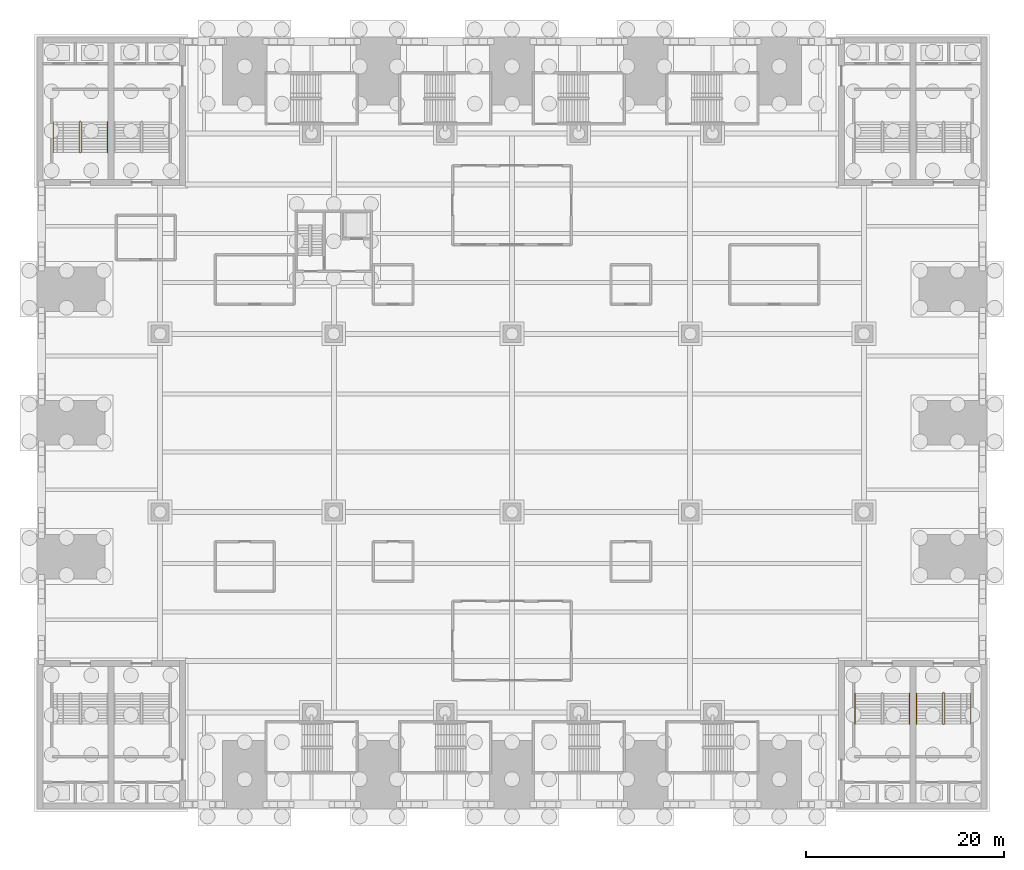
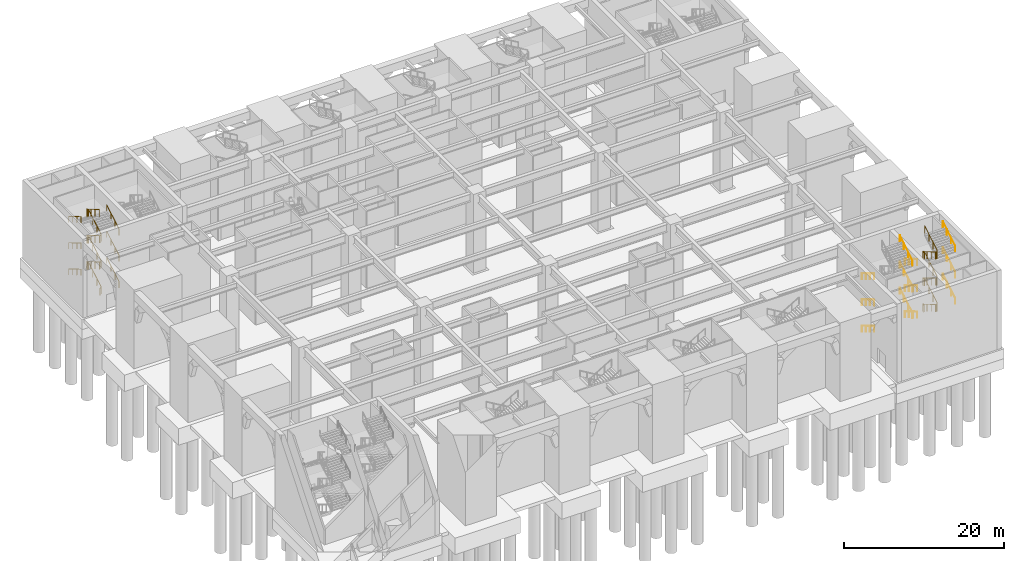
# One storey, part 30 of 34: 5 railings.
"""IFC4 building model written with IfcOpenShell, lengths in metres."""

from ifc_helpers import new_model, si_unit, direction, frame, origin, origin_2d, place, context, subcontext, project, spatial, circle, extrude, material, type_object, element, save


model = new_model("IFC4")

# Units and contexts
model_context = context("Model", 3, precision=1e-05, world=origin(), true_north=direction((0.0, 1.0)))
body_context = subcontext(model_context, "Body", "Model", "MODEL_VIEW")
ifc_project = project(units=[si_unit("LENGTHUNIT", "METRE"), si_unit("AREAUNIT", "SQUARE_METRE"), si_unit("VOLUMEUNIT", "CUBIC_METRE"), si_unit("PLANEANGLEUNIT", "RADIAN"), si_unit("MASSUNIT", "GRAM", prefix="KILO")], contexts=[model_context])

# Site, building, storey
site_placement = place(None, origin())
site = spatial("IfcSite", under=ifc_project, at=site_placement, CompositionType="ELEMENT")
building_placement = place(site_placement, origin())
building = spatial("IfcBuilding", under=site, at=building_placement, Name="Corbelhall Arena Tower", CompositionType="ELEMENT")
storey_placement = place(building_placement, origin())
storey = spatial("IfcBuildingStorey", under=building, at=storey_placement, Name="L00", CompositionType="ELEMENT", Elevation=0.0)

# Railings
ifc_material = material(Name="Stainless steel A4", Category="steel")
railing_type_1 = type_object("IfcRailingType", Name="AR-STAIR-GUARD", PredefinedType="GUARDRAIL", material=ifc_material)
railing_1_placement = place(storey_placement, frame((-43.469970703125, 27.320068359375, 0.166748046875)))
element("IfcRailing", 1, at=railing_1_placement, inside=storey, type_object=railing_type_1, Name="L00 AS4 stair guards", PredefinedType="GUARDRAIL", context=body_context, shape_type="SweptSolid", body=[
    extrude(circle(Radius=0.02392578125, at=origin_2d()), frame((0.0, 0.0, 1.076171875), z_axis=(0.0, 0.859290745958, 0.51148745235), x_axis=(-1.0, 0.0, 0.0)), (0.0, 0.0, 1.0), 3.584228515625),
    extrude(circle(Radius=0.02392578125, at=origin_2d()), frame((-0.050048828125, 3.1298828125, 2.9091796875), z_axis=(-1.0, 0.0, 0.0), x_axis=(0.0, -1.0, 0.0)), (0.0, 0.0, 1.0), 0.14990234375),
    extrude(circle(Radius=0.02392578125, at=origin_2d()), frame((-0.25, 3.079833984375, 3.076171875), z_axis=(0.0, -0.859290745958, 0.51148745235), x_axis=(1.0, 0.0, 0.0)), (0.0, 0.0, 1.0), 3.584228515625),
    extrude(circle(Radius=0.02392578125, at=origin_2d()), frame((-0.050048828125, -0.050048828125, 4.9091796875), z_axis=(-1.0, 0.0, 0.0), x_axis=(0.0, -1.0, 0.0)), (0.0, 0.0, 1.0), 0.14990234375),
    extrude(circle(Radius=0.02392578125, at=origin_2d()), frame((0.0, 0.0, 5.076171875), z_axis=(0.0, 0.859290745958, 0.51148745235), x_axis=(-1.0, 0.0, 0.0)), (0.0, 0.0, 1.0), 3.584228515625),
    extrude(circle(Radius=0.02392578125, at=origin_2d()), frame((-0.050048828125, 3.1298828125, 6.9091796875), z_axis=(-1.0, 0.0, 0.0), x_axis=(0.0, -1.0, 0.0)), (0.0, 0.0, 1.0), 0.14990234375),
    extrude(circle(Radius=0.02392578125, at=origin_2d()), frame((-0.25, 3.079833984375, 7.076171875), z_axis=(0.0, -0.859290745958, 0.51148745235), x_axis=(1.0, 0.0, 0.0)), (0.0, 0.0, 1.0), 3.584228515625),
    extrude(circle(Radius=0.02392578125, at=origin_2d()), frame((-0.050048828125, -0.050048828125, 8.9091796875), z_axis=(-1.0, 0.0, 0.0), x_axis=(0.0, -1.0, 0.0)), (0.0, 0.0, 1.0), 0.14990234375),
    extrude(circle(Radius=0.02392578125, at=origin_2d()), frame((0.0, 0.0, 9.076171875), z_axis=(0.0, 0.859290745958, 0.51148745235), x_axis=(-1.0, 0.0, 0.0)), (0.0, 0.0, 1.0), 3.584228515625),
    extrude(circle(Radius=0.02392578125, at=origin_2d()), frame((-0.050048828125, 3.1298828125, 10.9091796875), z_axis=(-1.0, 0.0, 0.0), x_axis=(0.0, -1.0, 0.0)), (0.0, 0.0, 1.0), 0.14990234375),
    extrude(circle(Radius=0.02392578125, at=origin_2d()), frame((-0.25, 3.079833984375, 11.076171875), z_axis=(0.0, -0.859290745958, 0.51148745235), x_axis=(1.0, 0.0, 0.0)), (0.0, 0.0, 1.0), 3.584228515625),
    extrude(circle(Radius=0.02392578125, at=origin_2d()), frame((-0.050048828125, -0.050048828125, 0.9091796875), z_axis=(-1.0, 0.0, 0.0), x_axis=(0.0, -1.0, 0.0)), (0.0, 0.0, 1.0), 0.14990234375),
    extrude(circle(Radius=0.02099609375, at=origin_2d()), origin(), (0.0, 0.0, 1.0), 1.052001953125),
    extrude(circle(Radius=0.02099609375, at=origin_2d()), frame((0.0, 1.026611328125, 0.611083984375)), (0.0, 0.0, 1.0), 1.052001953125),
    extrude(circle(Radius=0.02099609375, at=origin_2d()), frame((0.0, 2.05322265625, 1.22216796875)), (0.0, 0.0, 1.0), 1.052001953125),
    extrude(circle(Radius=0.02099609375, at=origin_2d()), frame((0.0, 3.079833984375, 1.833251953125)), (0.0, 0.0, 1.0), 1.052001953125),
    extrude(circle(Radius=0.02099609375, at=origin_2d()), frame((-0.050048828125, 3.1298828125, 1.833251953125)), (0.0, 0.0, 1.0), 1.052001953125),
    extrude(circle(Radius=0.02099609375, at=origin_2d()), frame((-0.199951171875, 3.1298828125, 1.833251953125)), (0.0, 0.0, 1.0), 1.052001953125),
    extrude(circle(Radius=0.02099609375, at=origin_2d()), frame((-0.25, 3.079833984375, 2.0)), (0.0, 0.0, 1.0), 1.052001953125),
    extrude(circle(Radius=0.02099609375, at=origin_2d()), frame((-0.25, 2.05322265625, 2.611083984375)), (0.0, 0.0, 1.0), 1.052001953125),
    extrude(circle(Radius=0.02099609375, at=origin_2d()), frame((-0.25, 1.026611328125, 3.22216796875)), (0.0, 0.0, 1.0), 1.052001953125),
    extrude(circle(Radius=0.02099609375, at=origin_2d()), frame((-0.25, 0.0, 3.833251953125)), (0.0, 0.0, 1.0), 1.052001953125),
    extrude(circle(Radius=0.02099609375, at=origin_2d()), frame((-0.050048828125, -0.050048828125, 3.833251953125)), (0.0, 0.0, 1.0), 1.052001953125),
    extrude(circle(Radius=0.02099609375, at=origin_2d()), frame((-0.199951171875, -0.050048828125, 3.833251953125)), (0.0, 0.0, 1.0), 1.052001953125),
    extrude(circle(Radius=0.02099609375, at=origin_2d()), frame((0.0, 0.0, 4.0)), (0.0, 0.0, 1.0), 1.052001953125),
    extrude(circle(Radius=0.02099609375, at=origin_2d()), frame((0.0, 1.026611328125, 4.611083984375)), (0.0, 0.0, 1.0), 1.052001953125),
    extrude(circle(Radius=0.02099609375, at=origin_2d()), frame((0.0, 2.05322265625, 5.22216796875)), (0.0, 0.0, 1.0), 1.052001953125),
    extrude(circle(Radius=0.02099609375, at=origin_2d()), frame((0.0, 3.079833984375, 5.833251953125)), (0.0, 0.0, 1.0), 1.052001953125),
    extrude(circle(Radius=0.02099609375, at=origin_2d()), frame((-0.050048828125, 3.1298828125, 5.833251953125)), (0.0, 0.0, 1.0), 1.052001953125),
    extrude(circle(Radius=0.02099609375, at=origin_2d()), frame((-0.199951171875, 3.1298828125, 5.833251953125)), (0.0, 0.0, 1.0), 1.052001953125),
    extrude(circle(Radius=0.02099609375, at=origin_2d()), frame((-0.25, 3.079833984375, 6.0)), (0.0, 0.0, 1.0), 1.052001953125),
    extrude(circle(Radius=0.02099609375, at=origin_2d()), frame((-0.25, 2.05322265625, 6.611083984375)), (0.0, 0.0, 1.0), 1.052001953125),
    extrude(circle(Radius=0.02099609375, at=origin_2d()), frame((-0.25, 1.026611328125, 7.22216796875)), (0.0, 0.0, 1.0), 1.052001953125),
    extrude(circle(Radius=0.02099609375, at=origin_2d()), frame((-0.25, 0.0, 7.833251953125)), (0.0, 0.0, 1.0), 1.052001953125),
    extrude(circle(Radius=0.02099609375, at=origin_2d()), frame((-0.050048828125, -0.050048828125, 7.833251953125)), (0.0, 0.0, 1.0), 1.052001953125),
    extrude(circle(Radius=0.02099609375, at=origin_2d()), frame((-0.199951171875, -0.050048828125, 7.833251953125)), (0.0, 0.0, 1.0), 1.052001953125),
    extrude(circle(Radius=0.02099609375, at=origin_2d()), frame((0.0, 0.0, 8.0)), (0.0, 0.0, 1.0), 1.052001953125),
    extrude(circle(Radius=0.02099609375, at=origin_2d()), frame((0.0, 1.026611328125, 8.611083984375)), (0.0, 0.0, 1.0), 1.052001953125),
    extrude(circle(Radius=0.02099609375, at=origin_2d()), frame((0.0, 2.05322265625, 9.22216796875)), (0.0, 0.0, 1.0), 1.052001953125),
    extrude(circle(Radius=0.02099609375, at=origin_2d()), frame((0.0, 3.079833984375, 9.833251953125)), (0.0, 0.0, 1.0), 1.052001953125),
    extrude(circle(Radius=0.02099609375, at=origin_2d()), frame((-0.050048828125, 3.1298828125, 9.833251953125)), (0.0, 0.0, 1.0), 1.052001953125),
    extrude(circle(Radius=0.02099609375, at=origin_2d()), frame((-0.199951171875, 3.1298828125, 9.833251953125)), (0.0, 0.0, 1.0), 1.052001953125),
    extrude(circle(Radius=0.02099609375, at=origin_2d()), frame((-0.25, 3.079833984375, 10.0)), (0.0, 0.0, 1.0), 1.052001953125),
    extrude(circle(Radius=0.02099609375, at=origin_2d()), frame((-0.25, 2.05322265625, 10.611083984375)), (0.0, 0.0, 1.0), 1.052001953125),
    extrude(circle(Radius=0.02099609375, at=origin_2d()), frame((-0.25, 1.026611328125, 11.22216796875)), (0.0, 0.0, 1.0), 1.052001953125),
    extrude(circle(Radius=0.02099609375, at=origin_2d()), frame((-0.25, 0.0, 11.833251953125)), (0.0, 0.0, 1.0), 1.052001953125),
    extrude(circle(Radius=0.02099609375, at=origin_2d()), frame((-0.050048828125, -0.050048828125, -0.166748046875)), (0.0, 0.0, 1.0), 1.052001953125),
    extrude(circle(Radius=0.02099609375, at=origin_2d()), frame((-0.199951171875, -0.050048828125, -0.166748046875)), (0.0, 0.0, 1.0), 1.052001953125),
])
railing_2_placement = place(storey_placement, frame((43.469970703125, -27.320068359375, 0.166748046875)))
element("IfcRailing", 2, at=railing_2_placement, inside=storey, type_object=railing_type_1, Name="L00 AS6 stair guards", PredefinedType="GUARDRAIL", context=body_context, shape_type="SweptSolid", body=[
    extrude(circle(Radius=0.02392578125, at=origin_2d()), frame((0.0, 0.0, 1.076171875), z_axis=(0.0, -0.859290745958, 0.51148745235), x_axis=(1.0, 0.0, 0.0)), (0.0, 0.0, 1.0), 3.584228515625),
    extrude(circle(Radius=0.02392578125, at=origin_2d()), frame((0.050048828125, -3.1298828125, 2.9091796875), z_axis=(1.0, 0.0, 0.0), x_axis=(0.0, 1.0, 0.0)), (0.0, 0.0, 1.0), 0.14990234375),
    extrude(circle(Radius=0.02392578125, at=origin_2d()), frame((0.25, -3.079833984375, 3.076171875), z_axis=(0.0, 0.859290745958, 0.51148745235), x_axis=(-1.0, 0.0, 0.0)), (0.0, 0.0, 1.0), 3.584228515625),
    extrude(circle(Radius=0.02392578125, at=origin_2d()), frame((0.050048828125, 0.050048828125, 4.9091796875), z_axis=(1.0, 0.0, 0.0), x_axis=(0.0, 1.0, 0.0)), (0.0, 0.0, 1.0), 0.14990234375),
    extrude(circle(Radius=0.02392578125, at=origin_2d()), frame((0.0, 0.0, 5.076171875), z_axis=(0.0, -0.859290745958, 0.51148745235), x_axis=(1.0, 0.0, 0.0)), (0.0, 0.0, 1.0), 3.584228515625),
    extrude(circle(Radius=0.02392578125, at=origin_2d()), frame((0.050048828125, -3.1298828125, 6.9091796875), z_axis=(1.0, 0.0, 0.0), x_axis=(0.0, 1.0, 0.0)), (0.0, 0.0, 1.0), 0.14990234375),
    extrude(circle(Radius=0.02392578125, at=origin_2d()), frame((0.25, -3.079833984375, 7.076171875), z_axis=(0.0, 0.859290745958, 0.51148745235), x_axis=(-1.0, 0.0, 0.0)), (0.0, 0.0, 1.0), 3.584228515625),
    extrude(circle(Radius=0.02392578125, at=origin_2d()), frame((0.050048828125, 0.050048828125, 8.9091796875), z_axis=(1.0, 0.0, 0.0), x_axis=(0.0, 1.0, 0.0)), (0.0, 0.0, 1.0), 0.14990234375),
    extrude(circle(Radius=0.02392578125, at=origin_2d()), frame((0.0, 0.0, 9.076171875), z_axis=(0.0, -0.859290745958, 0.51148745235), x_axis=(1.0, 0.0, 0.0)), (0.0, 0.0, 1.0), 3.584228515625),
    extrude(circle(Radius=0.02392578125, at=origin_2d()), frame((0.050048828125, -3.1298828125, 10.9091796875), z_axis=(1.0, 0.0, 0.0), x_axis=(0.0, 1.0, 0.0)), (0.0, 0.0, 1.0), 0.14990234375),
    extrude(circle(Radius=0.02392578125, at=origin_2d()), frame((0.25, -3.079833984375, 11.076171875), z_axis=(0.0, 0.859290745958, 0.51148745235), x_axis=(-1.0, 0.0, 0.0)), (0.0, 0.0, 1.0), 3.584228515625),
    extrude(circle(Radius=0.02392578125, at=origin_2d()), frame((0.050048828125, 0.050048828125, 0.9091796875), z_axis=(1.0, 0.0, 0.0), x_axis=(0.0, 1.0, 0.0)), (0.0, 0.0, 1.0), 0.14990234375),
    extrude(circle(Radius=0.02099609375, at=origin_2d()), origin(), (0.0, 0.0, 1.0), 1.052001953125),
    extrude(circle(Radius=0.02099609375, at=origin_2d()), frame((0.0, -1.026611328125, 0.611083984375)), (0.0, 0.0, 1.0), 1.052001953125),
    extrude(circle(Radius=0.02099609375, at=origin_2d()), frame((0.0, -2.05322265625, 1.22216796875)), (0.0, 0.0, 1.0), 1.052001953125),
    extrude(circle(Radius=0.02099609375, at=origin_2d()), frame((0.0, -3.079833984375, 1.833251953125)), (0.0, 0.0, 1.0), 1.052001953125),
    extrude(circle(Radius=0.02099609375, at=origin_2d()), frame((0.050048828125, -3.1298828125, 1.833251953125)), (0.0, 0.0, 1.0), 1.052001953125),
    extrude(circle(Radius=0.02099609375, at=origin_2d()), frame((0.199951171875, -3.1298828125, 1.833251953125)), (0.0, 0.0, 1.0), 1.052001953125),
    extrude(circle(Radius=0.02099609375, at=origin_2d()), frame((0.25, -3.079833984375, 2.0)), (0.0, 0.0, 1.0), 1.052001953125),
    extrude(circle(Radius=0.02099609375, at=origin_2d()), frame((0.25, -2.05322265625, 2.611083984375)), (0.0, 0.0, 1.0), 1.052001953125),
    extrude(circle(Radius=0.02099609375, at=origin_2d()), frame((0.25, -1.026611328125, 3.22216796875)), (0.0, 0.0, 1.0), 1.052001953125),
    extrude(circle(Radius=0.02099609375, at=origin_2d()), frame((0.25, 0.0, 3.833251953125)), (0.0, 0.0, 1.0), 1.052001953125),
    extrude(circle(Radius=0.02099609375, at=origin_2d()), frame((0.050048828125, 0.050048828125, 3.833251953125)), (0.0, 0.0, 1.0), 1.052001953125),
    extrude(circle(Radius=0.02099609375, at=origin_2d()), frame((0.199951171875, 0.050048828125, 3.833251953125)), (0.0, 0.0, 1.0), 1.052001953125),
    extrude(circle(Radius=0.02099609375, at=origin_2d()), frame((0.0, 0.0, 4.0)), (0.0, 0.0, 1.0), 1.052001953125),
    extrude(circle(Radius=0.02099609375, at=origin_2d()), frame((0.0, -1.026611328125, 4.611083984375)), (0.0, 0.0, 1.0), 1.052001953125),
    extrude(circle(Radius=0.02099609375, at=origin_2d()), frame((0.0, -2.05322265625, 5.22216796875)), (0.0, 0.0, 1.0), 1.052001953125),
    extrude(circle(Radius=0.02099609375, at=origin_2d()), frame((0.0, -3.079833984375, 5.833251953125)), (0.0, 0.0, 1.0), 1.052001953125),
    extrude(circle(Radius=0.02099609375, at=origin_2d()), frame((0.050048828125, -3.1298828125, 5.833251953125)), (0.0, 0.0, 1.0), 1.052001953125),
    extrude(circle(Radius=0.02099609375, at=origin_2d()), frame((0.199951171875, -3.1298828125, 5.833251953125)), (0.0, 0.0, 1.0), 1.052001953125),
    extrude(circle(Radius=0.02099609375, at=origin_2d()), frame((0.25, -3.079833984375, 6.0)), (0.0, 0.0, 1.0), 1.052001953125),
    extrude(circle(Radius=0.02099609375, at=origin_2d()), frame((0.25, -2.05322265625, 6.611083984375)), (0.0, 0.0, 1.0), 1.052001953125),
    extrude(circle(Radius=0.02099609375, at=origin_2d()), frame((0.25, -1.026611328125, 7.22216796875)), (0.0, 0.0, 1.0), 1.052001953125),
    extrude(circle(Radius=0.02099609375, at=origin_2d()), frame((0.25, 0.0, 7.833251953125)), (0.0, 0.0, 1.0), 1.052001953125),
    extrude(circle(Radius=0.02099609375, at=origin_2d()), frame((0.050048828125, 0.050048828125, 7.833251953125)), (0.0, 0.0, 1.0), 1.052001953125),
    extrude(circle(Radius=0.02099609375, at=origin_2d()), frame((0.199951171875, 0.050048828125, 7.833251953125)), (0.0, 0.0, 1.0), 1.052001953125),
    extrude(circle(Radius=0.02099609375, at=origin_2d()), frame((0.0, 0.0, 8.0)), (0.0, 0.0, 1.0), 1.052001953125),
    extrude(circle(Radius=0.02099609375, at=origin_2d()), frame((0.0, -1.026611328125, 8.611083984375)), (0.0, 0.0, 1.0), 1.052001953125),
    extrude(circle(Radius=0.02099609375, at=origin_2d()), frame((0.0, -2.05322265625, 9.22216796875)), (0.0, 0.0, 1.0), 1.052001953125),
    extrude(circle(Radius=0.02099609375, at=origin_2d()), frame((0.0, -3.079833984375, 9.833251953125)), (0.0, 0.0, 1.0), 1.052001953125),
    extrude(circle(Radius=0.02099609375, at=origin_2d()), frame((0.050048828125, -3.1298828125, 9.833251953125)), (0.0, 0.0, 1.0), 1.052001953125),
    extrude(circle(Radius=0.02099609375, at=origin_2d()), frame((0.199951171875, -3.1298828125, 9.833251953125)), (0.0, 0.0, 1.0), 1.052001953125),
    extrude(circle(Radius=0.02099609375, at=origin_2d()), frame((0.25, -3.079833984375, 10.0)), (0.0, 0.0, 1.0), 1.052001953125),
    extrude(circle(Radius=0.02099609375, at=origin_2d()), frame((0.25, -2.05322265625, 10.611083984375)), (0.0, 0.0, 1.0), 1.052001953125),
    extrude(circle(Radius=0.02099609375, at=origin_2d()), frame((0.25, -1.026611328125, 11.22216796875)), (0.0, 0.0, 1.0), 1.052001953125),
    extrude(circle(Radius=0.02099609375, at=origin_2d()), frame((0.25, 0.0, 11.833251953125)), (0.0, 0.0, 1.0), 1.052001953125),
    extrude(circle(Radius=0.02099609375, at=origin_2d()), frame((0.050048828125, 0.050048828125, -0.166748046875)), (0.0, 0.0, 1.0), 1.052001953125),
    extrude(circle(Radius=0.02099609375, at=origin_2d()), frame((0.199951171875, 0.050048828125, -0.166748046875)), (0.0, 0.0, 1.0), 1.052001953125),
])
railing_type_2 = type_object("IfcRailingType", Name="AR-STAIR-HANDRAIL", PredefinedType="HANDRAIL", material=ifc_material)
railing_3_placement = place(storey_placement, frame((-40.85009765625, 27.320068359375, 0.166748046875)))
element("IfcRailing", 3, at=railing_3_placement, inside=storey, type_object=railing_type_2, Name="L00 AS4 stair handrails", PredefinedType="HANDRAIL", context=body_context, shape_type="SweptSolid", body=[
    extrude(circle(Radius=0.02392578125, at=origin_2d()), frame((0.0, 0.0, 0.8759765625), z_axis=(0.0, 0.859290745958, 0.51148745235), x_axis=(-1.0, 0.0, 0.0)), (0.0, 0.0, 1.0), 3.584228515625),
    extrude(circle(Radius=0.02392578125, at=origin_2d()), frame((-5.489990234375, 3.079833984375, 2.8759765625), z_axis=(0.0, -0.859290745958, 0.51148745235), x_axis=(1.0, 0.0, 0.0)), (0.0, 0.0, 1.0), 3.584228515625),
    extrude(circle(Radius=0.02392578125, at=origin_2d()), frame((0.0, 0.0, 4.8759765625), z_axis=(0.0, 0.859290745958, 0.51148745235), x_axis=(-1.0, 0.0, 0.0)), (0.0, 0.0, 1.0), 3.584228515625),
    extrude(circle(Radius=0.02392578125, at=origin_2d()), frame((-5.489990234375, 3.079833984375, 6.8759765625), z_axis=(0.0, -0.859290745958, 0.51148745235), x_axis=(1.0, 0.0, 0.0)), (0.0, 0.0, 1.0), 3.584228515625),
    extrude(circle(Radius=0.02392578125, at=origin_2d()), frame((0.0, 0.0, 8.8759765625), z_axis=(0.0, 0.859290745958, 0.51148745235), x_axis=(-1.0, 0.0, 0.0)), (0.0, 0.0, 1.0), 3.584228515625),
    extrude(circle(Radius=0.02392578125, at=origin_2d()), frame((-5.489990234375, 3.079833984375, 10.8759765625), z_axis=(0.0, -0.859290745958, 0.51148745235), x_axis=(1.0, 0.0, 0.0)), (0.0, 0.0, 1.0), 3.584228515625),
    extrude(circle(Radius=0.02099609375, at=origin_2d()), origin(), (0.0, 0.0, 1.0), 0.851806640625),
    extrude(circle(Radius=0.02099609375, at=origin_2d()), frame((0.0, 1.026611328125, 0.611083984375)), (0.0, 0.0, 1.0), 0.851806640625),
    extrude(circle(Radius=0.02099609375, at=origin_2d()), frame((0.0, 2.05322265625, 1.22216796875)), (0.0, 0.0, 1.0), 0.851806640625),
    extrude(circle(Radius=0.02099609375, at=origin_2d()), frame((0.0, 3.079833984375, 1.833251953125)), (0.0, 0.0, 1.0), 0.851806640625),
    extrude(circle(Radius=0.02099609375, at=origin_2d()), frame((-5.489990234375, 3.079833984375, 2.0)), (0.0, 0.0, 1.0), 0.851806640625),
    extrude(circle(Radius=0.02099609375, at=origin_2d()), frame((-5.489990234375, 2.05322265625, 2.611083984375)), (0.0, 0.0, 1.0), 0.851806640625),
    extrude(circle(Radius=0.02099609375, at=origin_2d()), frame((-5.489990234375, 1.026611328125, 3.22216796875)), (0.0, 0.0, 1.0), 0.851806640625),
    extrude(circle(Radius=0.02099609375, at=origin_2d()), frame((-5.489990234375, 0.0, 3.833251953125)), (0.0, 0.0, 1.0), 0.851806640625),
    extrude(circle(Radius=0.02099609375, at=origin_2d()), frame((0.0, 0.0, 4.0)), (0.0, 0.0, 1.0), 0.851806640625),
    extrude(circle(Radius=0.02099609375, at=origin_2d()), frame((0.0, 1.026611328125, 4.611083984375)), (0.0, 0.0, 1.0), 0.851806640625),
    extrude(circle(Radius=0.02099609375, at=origin_2d()), frame((0.0, 2.05322265625, 5.22216796875)), (0.0, 0.0, 1.0), 0.851806640625),
    extrude(circle(Radius=0.02099609375, at=origin_2d()), frame((0.0, 3.079833984375, 5.833251953125)), (0.0, 0.0, 1.0), 0.851806640625),
    extrude(circle(Radius=0.02099609375, at=origin_2d()), frame((-5.489990234375, 3.079833984375, 6.0)), (0.0, 0.0, 1.0), 0.851806640625),
    extrude(circle(Radius=0.02099609375, at=origin_2d()), frame((-5.489990234375, 2.05322265625, 6.611083984375)), (0.0, 0.0, 1.0), 0.851806640625),
    extrude(circle(Radius=0.02099609375, at=origin_2d()), frame((-5.489990234375, 1.026611328125, 7.22216796875)), (0.0, 0.0, 1.0), 0.851806640625),
    extrude(circle(Radius=0.02099609375, at=origin_2d()), frame((-5.489990234375, 0.0, 7.833251953125)), (0.0, 0.0, 1.0), 0.851806640625),
    extrude(circle(Radius=0.02099609375, at=origin_2d()), frame((0.0, 0.0, 8.0)), (0.0, 0.0, 1.0), 0.851806640625),
    extrude(circle(Radius=0.02099609375, at=origin_2d()), frame((0.0, 1.026611328125, 8.611083984375)), (0.0, 0.0, 1.0), 0.851806640625),
    extrude(circle(Radius=0.02099609375, at=origin_2d()), frame((0.0, 2.05322265625, 9.22216796875)), (0.0, 0.0, 1.0), 0.851806640625),
    extrude(circle(Radius=0.02099609375, at=origin_2d()), frame((0.0, 3.079833984375, 9.833251953125)), (0.0, 0.0, 1.0), 0.851806640625),
    extrude(circle(Radius=0.02099609375, at=origin_2d()), frame((-5.489990234375, 3.079833984375, 10.0)), (0.0, 0.0, 1.0), 0.851806640625),
    extrude(circle(Radius=0.02099609375, at=origin_2d()), frame((-5.489990234375, 2.05322265625, 10.611083984375)), (0.0, 0.0, 1.0), 0.851806640625),
    extrude(circle(Radius=0.02099609375, at=origin_2d()), frame((-5.489990234375, 1.026611328125, 11.22216796875)), (0.0, 0.0, 1.0), 0.851806640625),
    extrude(circle(Radius=0.02099609375, at=origin_2d()), frame((-5.489990234375, 0.0, 11.833251953125)), (0.0, 0.0, 1.0), 0.851806640625),
])
railing_4_placement = place(storey_placement, frame((34.659912109375, -27.320068359375, 0.166748046875)))
element("IfcRailing", 4, at=railing_4_placement, inside=storey, type_object=railing_type_2, Name="L00 AS5 stair handrails", PredefinedType="HANDRAIL", context=body_context, shape_type="SweptSolid", body=[
    extrude(circle(Radius=0.02392578125, at=origin_2d()), frame((0.0, 0.0, 0.8759765625), z_axis=(0.0, -0.859290745958, 0.51148745235), x_axis=(1.0, 0.0, 0.0)), (0.0, 0.0, 1.0), 3.584228515625),
    extrude(circle(Radius=0.02392578125, at=origin_2d()), frame((5.489990234375, -3.079833984375, 2.8759765625), z_axis=(0.0, 0.859290745958, 0.51148745235), x_axis=(-1.0, 0.0, 0.0)), (0.0, 0.0, 1.0), 3.584228515625),
    extrude(circle(Radius=0.02392578125, at=origin_2d()), frame((0.0, 0.0, 4.8759765625), z_axis=(0.0, -0.859290745958, 0.51148745235), x_axis=(1.0, 0.0, 0.0)), (0.0, 0.0, 1.0), 3.584228515625),
    extrude(circle(Radius=0.02392578125, at=origin_2d()), frame((5.489990234375, -3.079833984375, 6.8759765625), z_axis=(0.0, 0.859290745958, 0.51148745235), x_axis=(-1.0, 0.0, 0.0)), (0.0, 0.0, 1.0), 3.584228515625),
    extrude(circle(Radius=0.02392578125, at=origin_2d()), frame((0.0, 0.0, 8.8759765625), z_axis=(0.0, -0.859290745958, 0.51148745235), x_axis=(1.0, 0.0, 0.0)), (0.0, 0.0, 1.0), 3.584228515625),
    extrude(circle(Radius=0.02392578125, at=origin_2d()), frame((5.489990234375, -3.079833984375, 10.8759765625), z_axis=(0.0, 0.859290745958, 0.51148745235), x_axis=(-1.0, 0.0, 0.0)), (0.0, 0.0, 1.0), 3.584228515625),
    extrude(circle(Radius=0.02099609375, at=origin_2d()), origin(), (0.0, 0.0, 1.0), 0.851806640625),
    extrude(circle(Radius=0.02099609375, at=origin_2d()), frame((0.0, -1.026611328125, 0.611083984375)), (0.0, 0.0, 1.0), 0.851806640625),
    extrude(circle(Radius=0.02099609375, at=origin_2d()), frame((0.0, -2.05322265625, 1.22216796875)), (0.0, 0.0, 1.0), 0.851806640625),
    extrude(circle(Radius=0.02099609375, at=origin_2d()), frame((0.0, -3.079833984375, 1.833251953125)), (0.0, 0.0, 1.0), 0.851806640625),
    extrude(circle(Radius=0.02099609375, at=origin_2d()), frame((5.489990234375, -3.079833984375, 2.0)), (0.0, 0.0, 1.0), 0.851806640625),
    extrude(circle(Radius=0.02099609375, at=origin_2d()), frame((5.489990234375, -2.05322265625, 2.611083984375)), (0.0, 0.0, 1.0), 0.851806640625),
    extrude(circle(Radius=0.02099609375, at=origin_2d()), frame((5.489990234375, -1.026611328125, 3.22216796875)), (0.0, 0.0, 1.0), 0.851806640625),
    extrude(circle(Radius=0.02099609375, at=origin_2d()), frame((5.489990234375, 0.0, 3.833251953125)), (0.0, 0.0, 1.0), 0.851806640625),
    extrude(circle(Radius=0.02099609375, at=origin_2d()), frame((0.0, 0.0, 4.0)), (0.0, 0.0, 1.0), 0.851806640625),
    extrude(circle(Radius=0.02099609375, at=origin_2d()), frame((0.0, -1.026611328125, 4.611083984375)), (0.0, 0.0, 1.0), 0.851806640625),
    extrude(circle(Radius=0.02099609375, at=origin_2d()), frame((0.0, -2.05322265625, 5.22216796875)), (0.0, 0.0, 1.0), 0.851806640625),
    extrude(circle(Radius=0.02099609375, at=origin_2d()), frame((0.0, -3.079833984375, 5.833251953125)), (0.0, 0.0, 1.0), 0.851806640625),
    extrude(circle(Radius=0.02099609375, at=origin_2d()), frame((5.489990234375, -3.079833984375, 6.0)), (0.0, 0.0, 1.0), 0.851806640625),
    extrude(circle(Radius=0.02099609375, at=origin_2d()), frame((5.489990234375, -2.05322265625, 6.611083984375)), (0.0, 0.0, 1.0), 0.851806640625),
    extrude(circle(Radius=0.02099609375, at=origin_2d()), frame((5.489990234375, -1.026611328125, 7.22216796875)), (0.0, 0.0, 1.0), 0.851806640625),
    extrude(circle(Radius=0.02099609375, at=origin_2d()), frame((5.489990234375, 0.0, 7.833251953125)), (0.0, 0.0, 1.0), 0.851806640625),
    extrude(circle(Radius=0.02099609375, at=origin_2d()), frame((0.0, 0.0, 8.0)), (0.0, 0.0, 1.0), 0.851806640625),
    extrude(circle(Radius=0.02099609375, at=origin_2d()), frame((0.0, -1.026611328125, 8.611083984375)), (0.0, 0.0, 1.0), 0.851806640625),
    extrude(circle(Radius=0.02099609375, at=origin_2d()), frame((0.0, -2.05322265625, 9.22216796875)), (0.0, 0.0, 1.0), 0.851806640625),
    extrude(circle(Radius=0.02099609375, at=origin_2d()), frame((0.0, -3.079833984375, 9.833251953125)), (0.0, 0.0, 1.0), 0.851806640625),
    extrude(circle(Radius=0.02099609375, at=origin_2d()), frame((5.489990234375, -3.079833984375, 10.0)), (0.0, 0.0, 1.0), 0.851806640625),
    extrude(circle(Radius=0.02099609375, at=origin_2d()), frame((5.489990234375, -2.05322265625, 10.611083984375)), (0.0, 0.0, 1.0), 0.851806640625),
    extrude(circle(Radius=0.02099609375, at=origin_2d()), frame((5.489990234375, -1.026611328125, 11.22216796875)), (0.0, 0.0, 1.0), 0.851806640625),
    extrude(circle(Radius=0.02099609375, at=origin_2d()), frame((5.489990234375, 0.0, 11.833251953125)), (0.0, 0.0, 1.0), 0.851806640625),
])
railing_5_placement = place(storey_placement, frame((40.85009765625, -27.320068359375, 0.166748046875)))
element("IfcRailing", 5, at=railing_5_placement, inside=storey, type_object=railing_type_2, Name="L00 AS6 stair handrails", PredefinedType="HANDRAIL", context=body_context, shape_type="SweptSolid", body=[
    extrude(circle(Radius=0.02392578125, at=origin_2d()), frame((0.0, 0.0, 0.8759765625), z_axis=(0.0, -0.859290745958, 0.51148745235), x_axis=(1.0, 0.0, 0.0)), (0.0, 0.0, 1.0), 3.584228515625),
    extrude(circle(Radius=0.02392578125, at=origin_2d()), frame((5.489990234375, -3.079833984375, 2.8759765625), z_axis=(0.0, 0.859290745958, 0.51148745235), x_axis=(-1.0, 0.0, 0.0)), (0.0, 0.0, 1.0), 3.584228515625),
    extrude(circle(Radius=0.02392578125, at=origin_2d()), frame((0.0, 0.0, 4.8759765625), z_axis=(0.0, -0.859290745958, 0.51148745235), x_axis=(1.0, 0.0, 0.0)), (0.0, 0.0, 1.0), 3.584228515625),
    extrude(circle(Radius=0.02392578125, at=origin_2d()), frame((5.489990234375, -3.079833984375, 6.8759765625), z_axis=(0.0, 0.859290745958, 0.51148745235), x_axis=(-1.0, 0.0, 0.0)), (0.0, 0.0, 1.0), 3.584228515625),
    extrude(circle(Radius=0.02392578125, at=origin_2d()), frame((0.0, 0.0, 8.8759765625), z_axis=(0.0, -0.859290745958, 0.51148745235), x_axis=(1.0, 0.0, 0.0)), (0.0, 0.0, 1.0), 3.584228515625),
    extrude(circle(Radius=0.02392578125, at=origin_2d()), frame((5.489990234375, -3.079833984375, 10.8759765625), z_axis=(0.0, 0.859290745958, 0.51148745235), x_axis=(-1.0, 0.0, 0.0)), (0.0, 0.0, 1.0), 3.584228515625),
    extrude(circle(Radius=0.02099609375, at=origin_2d()), origin(), (0.0, 0.0, 1.0), 0.851806640625),
    extrude(circle(Radius=0.02099609375, at=origin_2d()), frame((0.0, -1.026611328125, 0.611083984375)), (0.0, 0.0, 1.0), 0.851806640625),
    extrude(circle(Radius=0.02099609375, at=origin_2d()), frame((0.0, -2.05322265625, 1.22216796875)), (0.0, 0.0, 1.0), 0.851806640625),
    extrude(circle(Radius=0.02099609375, at=origin_2d()), frame((0.0, -3.079833984375, 1.833251953125)), (0.0, 0.0, 1.0), 0.851806640625),
    extrude(circle(Radius=0.02099609375, at=origin_2d()), frame((5.489990234375, -3.079833984375, 2.0)), (0.0, 0.0, 1.0), 0.851806640625),
    extrude(circle(Radius=0.02099609375, at=origin_2d()), frame((5.489990234375, -2.05322265625, 2.611083984375)), (0.0, 0.0, 1.0), 0.851806640625),
    extrude(circle(Radius=0.02099609375, at=origin_2d()), frame((5.489990234375, -1.026611328125, 3.22216796875)), (0.0, 0.0, 1.0), 0.851806640625),
    extrude(circle(Radius=0.02099609375, at=origin_2d()), frame((5.489990234375, 0.0, 3.833251953125)), (0.0, 0.0, 1.0), 0.851806640625),
    extrude(circle(Radius=0.02099609375, at=origin_2d()), frame((0.0, 0.0, 4.0)), (0.0, 0.0, 1.0), 0.851806640625),
    extrude(circle(Radius=0.02099609375, at=origin_2d()), frame((0.0, -1.026611328125, 4.611083984375)), (0.0, 0.0, 1.0), 0.851806640625),
    extrude(circle(Radius=0.02099609375, at=origin_2d()), frame((0.0, -2.05322265625, 5.22216796875)), (0.0, 0.0, 1.0), 0.851806640625),
    extrude(circle(Radius=0.02099609375, at=origin_2d()), frame((0.0, -3.079833984375, 5.833251953125)), (0.0, 0.0, 1.0), 0.851806640625),
    extrude(circle(Radius=0.02099609375, at=origin_2d()), frame((5.489990234375, -3.079833984375, 6.0)), (0.0, 0.0, 1.0), 0.851806640625),
    extrude(circle(Radius=0.02099609375, at=origin_2d()), frame((5.489990234375, -2.05322265625, 6.611083984375)), (0.0, 0.0, 1.0), 0.851806640625),
    extrude(circle(Radius=0.02099609375, at=origin_2d()), frame((5.489990234375, -1.026611328125, 7.22216796875)), (0.0, 0.0, 1.0), 0.851806640625),
    extrude(circle(Radius=0.02099609375, at=origin_2d()), frame((5.489990234375, 0.0, 7.833251953125)), (0.0, 0.0, 1.0), 0.851806640625),
    extrude(circle(Radius=0.02099609375, at=origin_2d()), frame((0.0, 0.0, 8.0)), (0.0, 0.0, 1.0), 0.851806640625),
    extrude(circle(Radius=0.02099609375, at=origin_2d()), frame((0.0, -1.026611328125, 8.611083984375)), (0.0, 0.0, 1.0), 0.851806640625),
    extrude(circle(Radius=0.02099609375, at=origin_2d()), frame((0.0, -2.05322265625, 9.22216796875)), (0.0, 0.0, 1.0), 0.851806640625),
    extrude(circle(Radius=0.02099609375, at=origin_2d()), frame((0.0, -3.079833984375, 9.833251953125)), (0.0, 0.0, 1.0), 0.851806640625),
    extrude(circle(Radius=0.02099609375, at=origin_2d()), frame((5.489990234375, -3.079833984375, 10.0)), (0.0, 0.0, 1.0), 0.851806640625),
    extrude(circle(Radius=0.02099609375, at=origin_2d()), frame((5.489990234375, -2.05322265625, 10.611083984375)), (0.0, 0.0, 1.0), 0.851806640625),
    extrude(circle(Radius=0.02099609375, at=origin_2d()), frame((5.489990234375, -1.026611328125, 11.22216796875)), (0.0, 0.0, 1.0), 0.851806640625),
    extrude(circle(Radius=0.02099609375, at=origin_2d()), frame((5.489990234375, 0.0, 11.833251953125)), (0.0, 0.0, 1.0), 0.851806640625),
])

save(model, "model.ifc")
